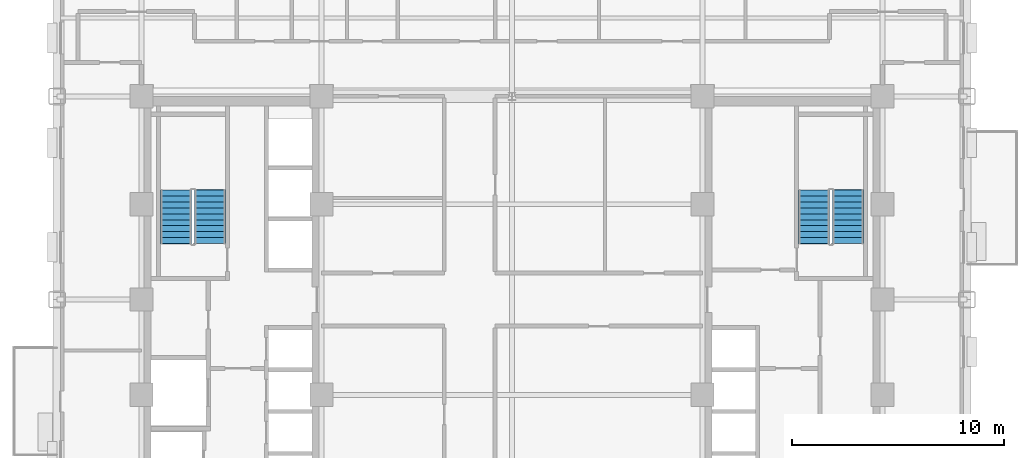
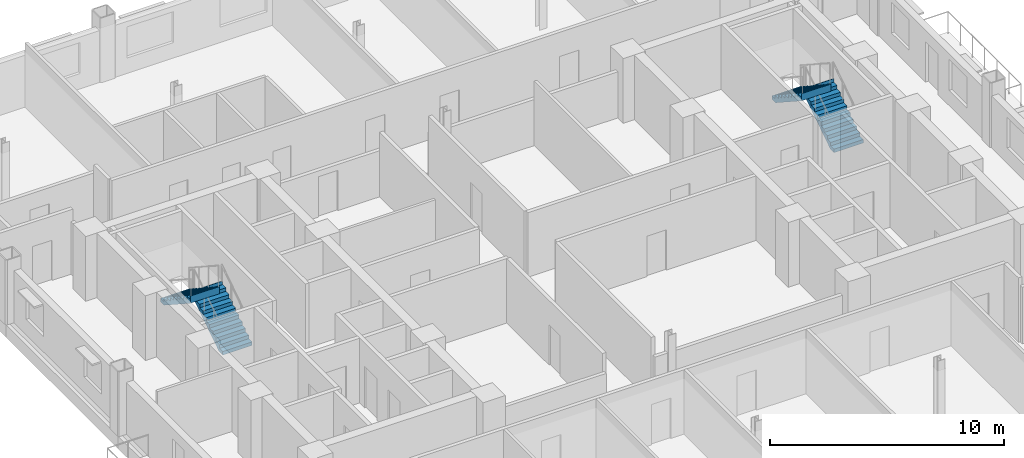
# One storey, part 10 of 14: 4 stair flights, 2 elements without a shape of their own.
"""IFC4 building model written with IfcOpenShell, lengths in metres."""

from ifc_helpers import new_model, si_unit, direction, frame, origin, place, context, subcontext, project, spatial, polyline, outline, extrude, material, type_object, element, aggregate, save


model = new_model("IFC4")

# Units and contexts
model_context = context("Model", 3, precision=1e-05, world=origin(), true_north=direction((0.0, 1.0)))
body_context = subcontext(model_context, "Body", "Model", "MODEL_VIEW")
ifc_project = project(units=[si_unit("LENGTHUNIT", "METRE"), si_unit("AREAUNIT", "SQUARE_METRE"), si_unit("VOLUMEUNIT", "CUBIC_METRE"), si_unit("PLANEANGLEUNIT", "RADIAN"), si_unit("MASSUNIT", "GRAM", prefix="KILO")], contexts=[model_context])

# Site, building, storey
site_placement = place(None, origin())
site = spatial("IfcSite", under=ifc_project, at=site_placement, CompositionType="ELEMENT")
building_placement = place(site_placement, origin())
building = spatial("IfcBuilding", under=site, at=building_placement, Name="Nuvemarco Arch Tower", CompositionType="ELEMENT")
storey_placement = place(building_placement, frame((0.0, 0.0, 71.39990234375)))
storey = spatial("IfcBuildingStorey", under=building, at=storey_placement, Name="L18", CompositionType="ELEMENT", Elevation=71.39990234375)

# Stair, stair flights
ifc_material = material(Name="Precast concrete C45/55", Category="concrete")
stair_type = type_object("IfcStairType", Name="ST-CORE-20R", PredefinedType="HALF_TURN_STAIR", material=ifc_material)
stair_1_placement = place(storey_placement, origin())
stair_1 = element("IfcStair", 1, at=stair_1_placement, inside=storey, type_object=stair_type, Name="L18 Protected Exit Stair ST-1", PredefinedType="HALF_TURN_STAIR")
stair_flight_type = type_object("IfcStairFlightType", Name="SF-CORE-20R", PredefinedType="STRAIGHT", material=ifc_material)
stair_flight_1_placement = place(storey_placement, frame((-14.264892578125, 2.64990234375, 0.0), z_axis=(0.0, 0.0, 1.0), x_axis=(0.0, 1.0, 0.0)))
stair_flight_1 = element("IfcStairFlight", 2, at=stair_flight_1_placement, type_object=stair_flight_type, Name="ST-20R flight 1", NumberOfRisers=10, NumberOfTreads=9, PredefinedType="STRAIGHT", RiserHeight=0.1825, TreadLength=0.28, context=body_context, shape_type="SweptSolid", body=[
    extrude(outline(polyline([(0.0, 0.0), (0.0, 0.1826171875), (0.280029296875, 0.1826171875), (0.280029296875, 0.364990234375), (0.56005859375, 0.364990234375), (0.56005859375, 0.547607421875), (0.840087890625, 0.547607421875), (0.840087890625, 0.72998046875), (1.1201171875, 0.72998046875), (1.1201171875, 0.91259765625), (1.39990234375, 0.91259765625), (1.39990234375, 1.094970703125), (1.679931640625, 1.094970703125), (1.679931640625, 1.277587890625), (1.9599609375, 1.277587890625), (1.9599609375, 1.4599609375), (2.239990234375, 1.4599609375), (2.239990234375, 1.642578125), (2.52001953125, 1.642578125), (2.52001953125, 1.824951171875), (2.5400390625, 1.824951171875), (2.5400390625, 1.45166015625), (0.312744140625, 0.0), (0.0, 0.0)])), frame((0.0, 0.72509765625, 0.0), z_axis=(0.0, -1.0, 0.0), x_axis=(1.0, 0.0, 0.0)), (0.0, 0.0, 1.0), 1.449951171875),
])
stair_flight_2_placement = place(storey_placement, frame((-15.875, 5.169921875, 1.8251953125), z_axis=(0.0, 0.0, 1.0), x_axis=(0.0, -1.0, 0.0)))
stair_flight_2 = element("IfcStairFlight", 3, at=stair_flight_2_placement, type_object=stair_flight_type, Name="ST-20R flight 2", NumberOfRisers=10, NumberOfTreads=9, PredefinedType="STRAIGHT", RiserHeight=0.1825, TreadLength=0.28, context=body_context, shape_type="SweptSolid", body=[
    extrude(outline(polyline([(0.0, 0.0), (0.0, 0.1826171875), (0.280029296875, 0.1826171875), (0.280029296875, 0.364990234375), (0.56005859375, 0.364990234375), (0.56005859375, 0.547607421875), (0.840087890625, 0.547607421875), (0.840087890625, 0.72998046875), (1.1201171875, 0.72998046875), (1.1201171875, 0.91259765625), (1.39990234375, 0.91259765625), (1.39990234375, 1.094970703125), (1.679931640625, 1.094970703125), (1.679931640625, 1.277587890625), (1.9599609375, 1.277587890625), (1.9599609375, 1.4599609375), (2.239990234375, 1.4599609375), (2.239990234375, 1.642578125), (2.52001953125, 1.642578125), (2.52001953125, 1.824951171875), (2.5400390625, 1.824951171875), (2.5400390625, 1.45166015625), (0.312744140625, 0.0), (0.0, 0.0)])), frame((0.0, 0.72509765625, 0.0), z_axis=(0.0, -1.0, 0.0), x_axis=(1.0, 0.0, 0.0)), (0.0, 0.0, 1.0), 1.449951171875),
])
aggregate(stair_1, [stair_flight_1, stair_flight_2])

stair_2_placement = place(storey_placement, origin())
stair_2 = element("IfcStair", 4, at=stair_2_placement, inside=storey, type_object=stair_type, Name="L18 Protected Exit Stair ST-2", PredefinedType="HALF_TURN_STAIR")
stair_flight_3_placement = place(storey_placement, frame((15.875, 2.64990234375, 0.0), z_axis=(0.0, 0.0, 1.0), x_axis=(0.0, 1.0, 0.0)))
stair_flight_3 = element("IfcStairFlight", 5, at=stair_flight_3_placement, type_object=stair_flight_type, Name="ST-20R flight 1", NumberOfRisers=10, NumberOfTreads=9, PredefinedType="STRAIGHT", RiserHeight=0.1825, TreadLength=0.28, context=body_context, shape_type="SweptSolid", body=[
    extrude(outline(polyline([(0.0, 0.0), (0.0, 0.1826171875), (0.280029296875, 0.1826171875), (0.280029296875, 0.364990234375), (0.56005859375, 0.364990234375), (0.56005859375, 0.547607421875), (0.840087890625, 0.547607421875), (0.840087890625, 0.72998046875), (1.1201171875, 0.72998046875), (1.1201171875, 0.91259765625), (1.39990234375, 0.91259765625), (1.39990234375, 1.094970703125), (1.679931640625, 1.094970703125), (1.679931640625, 1.277587890625), (1.9599609375, 1.277587890625), (1.9599609375, 1.4599609375), (2.239990234375, 1.4599609375), (2.239990234375, 1.642578125), (2.52001953125, 1.642578125), (2.52001953125, 1.824951171875), (2.5400390625, 1.824951171875), (2.5400390625, 1.45166015625), (0.312744140625, 0.0), (0.0, 0.0)])), frame((0.0, 0.72509765625, 0.0), z_axis=(0.0, -1.0, 0.0), x_axis=(1.0, 0.0, 0.0)), (0.0, 0.0, 1.0), 1.449951171875),
])
stair_flight_4_placement = place(storey_placement, frame((14.264892578125, 5.169921875, 1.8251953125), z_axis=(0.0, 0.0, 1.0), x_axis=(0.0, -1.0, 0.0)))
stair_flight_4 = element("IfcStairFlight", 6, at=stair_flight_4_placement, type_object=stair_flight_type, Name="ST-20R flight 2", NumberOfRisers=10, NumberOfTreads=9, PredefinedType="STRAIGHT", RiserHeight=0.1825, TreadLength=0.28, context=body_context, shape_type="SweptSolid", body=[
    extrude(outline(polyline([(0.0, 0.0), (0.0, 0.1826171875), (0.280029296875, 0.1826171875), (0.280029296875, 0.364990234375), (0.56005859375, 0.364990234375), (0.56005859375, 0.547607421875), (0.840087890625, 0.547607421875), (0.840087890625, 0.72998046875), (1.1201171875, 0.72998046875), (1.1201171875, 0.91259765625), (1.39990234375, 0.91259765625), (1.39990234375, 1.094970703125), (1.679931640625, 1.094970703125), (1.679931640625, 1.277587890625), (1.9599609375, 1.277587890625), (1.9599609375, 1.4599609375), (2.239990234375, 1.4599609375), (2.239990234375, 1.642578125), (2.52001953125, 1.642578125), (2.52001953125, 1.824951171875), (2.5400390625, 1.824951171875), (2.5400390625, 1.45166015625), (0.312744140625, 0.0), (0.0, 0.0)])), frame((0.0, 0.72509765625, 0.0), z_axis=(0.0, -1.0, 0.0), x_axis=(1.0, 0.0, 0.0)), (0.0, 0.0, 1.0), 1.449951171875),
])
aggregate(stair_2, [stair_flight_3, stair_flight_4])

save(model, "model.ifc")
